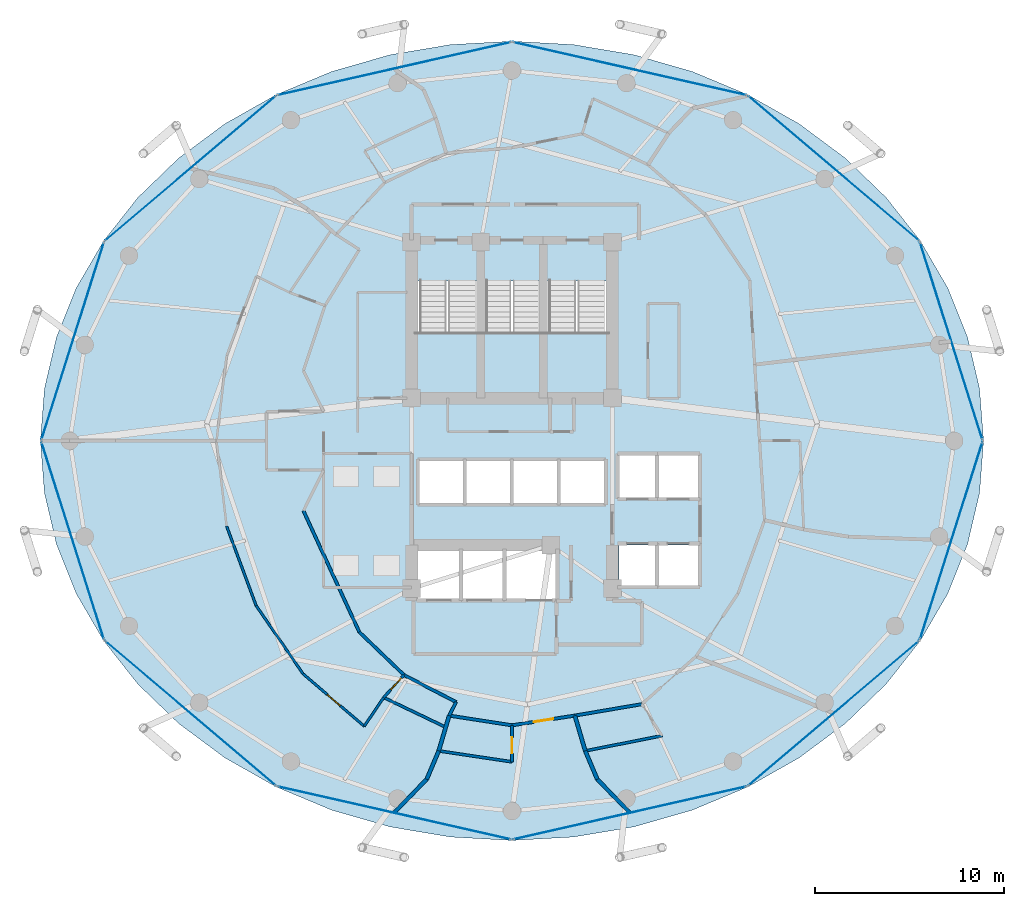
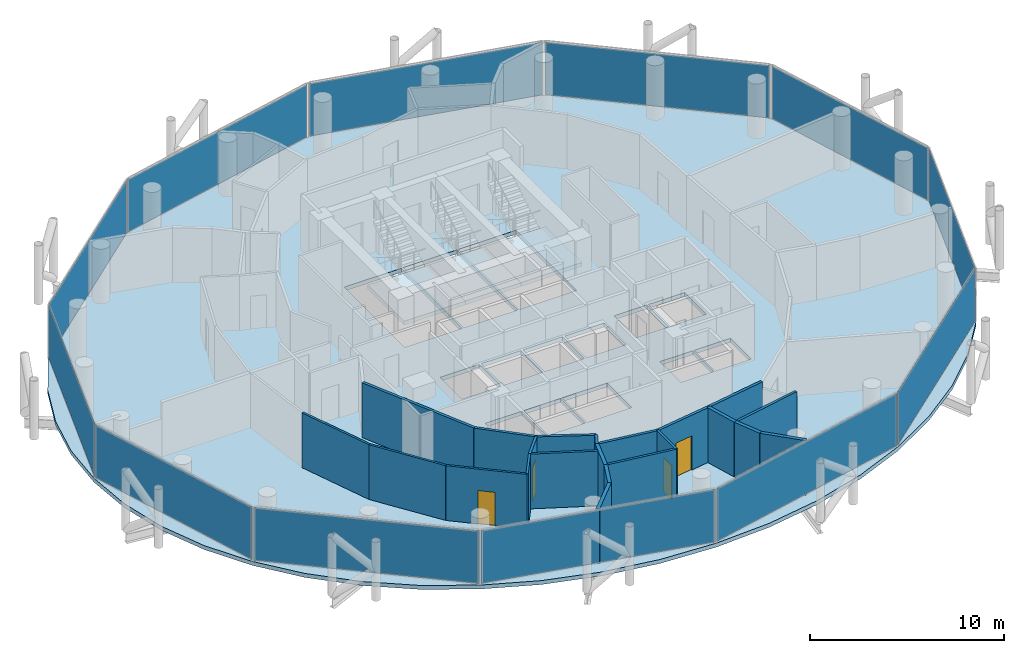
# One storey, part 21 of 26: 22 walls, 12 plates, 4 doors, 4 slabs, 4 openings, 15 elements without a shape of their own.
"""IFC4 building model written with IfcOpenShell, lengths in metres."""

from ifc_helpers import new_model, si_unit, direction, frame, frame_2d, origin, origin_2d, place, context, subcontext, project, spatial, polyline, rectangle, outline, extrude, material, layer, layer_set, type_object, element, fill, aggregate, save


model = new_model("IFC4")

# Units and contexts
model_context = context("Model", 3, precision=1e-05, world=origin(), true_north=direction((0.0, 1.0)))
body_context = subcontext(model_context, "Body", "Model", "MODEL_VIEW")
ifc_project = project(units=[si_unit("LENGTHUNIT", "METRE"), si_unit("AREAUNIT", "SQUARE_METRE"), si_unit("VOLUMEUNIT", "CUBIC_METRE"), si_unit("PLANEANGLEUNIT", "RADIAN"), si_unit("MASSUNIT", "GRAM", prefix="KILO")], contexts=[model_context])

# Site, building, storey
site_placement = place(None, origin())
site = spatial("IfcSite", under=ifc_project, at=site_placement, CompositionType="ELEMENT")
building_placement = place(site_placement, origin())
building = spatial("IfcBuilding", under=site, at=building_placement, Name="Nuhasar Tower", CompositionType="ELEMENT")
storey_placement = place(building_placement, frame((0.0, 0.0, 118.25)))
storey = spatial("IfcBuildingStorey", under=building, at=storey_placement, Name="L27", CompositionType="ELEMENT", Elevation=118.25)

# Curtain wall, plate
ifc_material_1 = material(Name="Aluminium 6063-T6", Category="aluminium")
ifc_layer_1 = layer(ifc_material_1, 0.199951171875)
ifc_layer_set_1 = layer_set([ifc_layer_1], Name="Aluminium 6063-T6")
curtain_wall_type = type_object("IfcCurtainWallType", Name="CW-Z2-HTL", PredefinedType="NOTDEFINED", material=ifc_layer_set_1)
curtain_wall_1_placement = place(storey_placement, origin())
curtain_wall_1 = element("IfcCurtainWall", 1, at=curtain_wall_1_placement, inside=storey, type_object=curtain_wall_type, Name="L27 Unitised Curtain Wall 01", PredefinedType="NOTDEFINED")
ifc_material_2 = material(Name="Glass Double Low-E", Category="glass")
ifc_layer_2 = layer(ifc_material_2, 0.028076171875)
ifc_layer_set_2 = layer_set([ifc_layer_2], Name="Glass Double Low-E")
plate_type = type_object("IfcPlateType", Name="CW-PANEL-GLZ", PredefinedType="CURTAIN_PANEL", material=ifc_layer_set_2)
plate_1_placement = place(storey_placement, frame((62.194580078125, 32.06494140625, 0.070068359375), z_axis=(0.0, 0.0, 1.0), x_axis=(-0.301603667577, 0.953433389233, 0.0)))
plate_1 = element("IfcPlate", 2, at=plate_1_placement, type_object=plate_type, Name="CW-Z2 panel 1.1", PredefinedType="CURTAIN_PANEL", context=body_context, shape_type="SweptSolid", body=[
    extrude(rectangle(XDim=10.904296875, YDim=0.028076171875, at=origin_2d()), origin(), (0.0, 0.0, 1.0), 3.31005859375),
])
aggregate(curtain_wall_1, [plate_1])

curtain_wall_2_placement = place(storey_placement, origin())
curtain_wall_2 = element("IfcCurtainWall", 3, at=curtain_wall_2_placement, inside=storey, type_object=curtain_wall_type, Name="L27 Unitised Curtain Wall 02", PredefinedType="NOTDEFINED")
plate_2_placement = place(storey_placement, frame((55.9794921875, 41.18408203125, 0.070068359375), z_axis=(0.0, 0.0, 1.0), x_axis=(-0.763020370292, 0.646374438324, 0.0)))
plate_2 = element("IfcPlate", 4, at=plate_2_placement, type_object=plate_type, Name="CW-Z2 panel 1.1", PredefinedType="CURTAIN_PANEL", context=body_context, shape_type="SweptSolid", body=[
    extrude(rectangle(XDim=11.784912109375, YDim=0.028076171875, at=origin_2d()), origin(), (0.0, 0.0, 1.0), 3.31005859375),
])
aggregate(curtain_wall_2, [plate_2])

curtain_wall_3_placement = place(storey_placement, origin())
curtain_wall_3 = element("IfcCurtainWall", 5, at=curtain_wall_3_placement, inside=storey, type_object=curtain_wall_type, Name="L27 Unitised Curtain Wall 03", PredefinedType="NOTDEFINED")
plate_3_placement = place(storey_placement, frame((45.215087890625, 46.448974609375, 0.070068359375), z_axis=(0.0, 0.0, 1.0), x_axis=(-0.975183694221, 0.22139729566, 0.0)))
plate_3 = element("IfcPlate", 6, at=plate_3_placement, type_object=plate_type, Name="CW-Z2 panel 1.1", PredefinedType="CURTAIN_PANEL", context=body_context, shape_type="SweptSolid", body=[
    extrude(rectangle(XDim=12.606201171875, YDim=0.028076171875, at=origin_2d()), origin(), (0.0, 0.0, 1.0), 3.31005859375),
])
aggregate(curtain_wall_3, [plate_3])

curtain_wall_4_placement = place(storey_placement, origin())
curtain_wall_4 = element("IfcCurtainWall", 7, at=curtain_wall_4_placement, inside=storey, type_object=curtain_wall_type, Name="L27 Unitised Curtain Wall 04", PredefinedType="NOTDEFINED")
plate_4_placement = place(storey_placement, frame((32.784912109375, 46.448974609375, 0.070068359375), z_axis=(0.0, 0.0, 1.0), x_axis=(-0.975183694221, -0.22139729566, 0.0)))
plate_4 = element("IfcPlate", 8, at=plate_4_placement, type_object=plate_type, Name="CW-Z2 panel 1.1", PredefinedType="CURTAIN_PANEL", context=body_context, shape_type="SweptSolid", body=[
    extrude(rectangle(XDim=12.606201171875, YDim=0.028076171875, at=origin_2d()), origin(), (0.0, 0.0, 1.0), 3.31005859375),
])
aggregate(curtain_wall_4, [plate_4])

curtain_wall_5_placement = place(storey_placement, origin())
curtain_wall_5 = element("IfcCurtainWall", 9, at=curtain_wall_5_placement, inside=storey, type_object=curtain_wall_type, Name="L27 Unitised Curtain Wall 05", PredefinedType="NOTDEFINED")
plate_5_placement = place(storey_placement, frame((22.0205078125, 41.18408203125, 0.070068359375), z_axis=(0.0, 0.0, 1.0), x_axis=(-0.763020370292, -0.646374438324, 0.0)))
plate_5 = element("IfcPlate", 10, at=plate_5_placement, type_object=plate_type, Name="CW-Z2 panel 1.1", PredefinedType="CURTAIN_PANEL", context=body_context, shape_type="SweptSolid", body=[
    extrude(rectangle(XDim=11.784912109375, YDim=0.028076171875, at=origin_2d()), origin(), (0.0, 0.0, 1.0), 3.31005859375),
])
aggregate(curtain_wall_5, [plate_5])

curtain_wall_6_placement = place(storey_placement, origin())
curtain_wall_6 = element("IfcCurtainWall", 11, at=curtain_wall_6_placement, inside=storey, type_object=curtain_wall_type, Name="L27 Unitised Curtain Wall 06", PredefinedType="NOTDEFINED")
plate_6_placement = place(storey_placement, frame((15.805419921875, 32.06494140625, 0.070068359375), z_axis=(0.0, 0.0, 1.0), x_axis=(-0.301603667577, -0.953433389233, 0.0)))
plate_6 = element("IfcPlate", 12, at=plate_6_placement, type_object=plate_type, Name="CW-Z2 panel 1.1", PredefinedType="CURTAIN_PANEL", context=body_context, shape_type="SweptSolid", body=[
    extrude(rectangle(XDim=10.904296875, YDim=0.028076171875, at=origin_2d()), origin(), (0.0, 0.0, 1.0), 3.31005859375),
])
aggregate(curtain_wall_6, [plate_6])

curtain_wall_7_placement = place(storey_placement, origin())
curtain_wall_7 = element("IfcCurtainWall", 13, at=curtain_wall_7_placement, inside=storey, type_object=curtain_wall_type, Name="L27 Unitised Curtain Wall 07", PredefinedType="NOTDEFINED")
plate_7_placement = place(storey_placement, frame((15.805419921875, 21.534912109375, 0.070068359375), z_axis=(0.0, 0.0, 1.0), x_axis=(0.301603667577, -0.953433389233, 0.0)))
plate_7 = element("IfcPlate", 14, at=plate_7_placement, type_object=plate_type, Name="CW-Z2 panel 1.1", PredefinedType="CURTAIN_PANEL", context=body_context, shape_type="SweptSolid", body=[
    extrude(rectangle(XDim=10.904296875, YDim=0.028076171875, at=origin_2d()), origin(), (0.0, 0.0, 1.0), 3.31005859375),
])
aggregate(curtain_wall_7, [plate_7])

curtain_wall_8_placement = place(storey_placement, origin())
curtain_wall_8 = element("IfcCurtainWall", 15, at=curtain_wall_8_placement, inside=storey, type_object=curtain_wall_type, Name="L27 Unitised Curtain Wall 08", PredefinedType="NOTDEFINED")
plate_8_placement = place(storey_placement, frame((22.0205078125, 12.416015625, 0.070068359375), z_axis=(0.0, 0.0, 1.0), x_axis=(0.763020370292, -0.646374438324, 0.0)))
plate_8 = element("IfcPlate", 16, at=plate_8_placement, type_object=plate_type, Name="CW-Z2 panel 1.1", PredefinedType="CURTAIN_PANEL", context=body_context, shape_type="SweptSolid", body=[
    extrude(rectangle(XDim=11.784912109375, YDim=0.028076171875, at=origin_2d()), origin(), (0.0, 0.0, 1.0), 3.31005859375),
])
aggregate(curtain_wall_8, [plate_8])

curtain_wall_9_placement = place(storey_placement, origin())
curtain_wall_9 = element("IfcCurtainWall", 17, at=curtain_wall_9_placement, inside=storey, type_object=curtain_wall_type, Name="L27 Unitised Curtain Wall 09", PredefinedType="NOTDEFINED")
plate_9_placement = place(storey_placement, frame((32.784912109375, 7.15087890625, 0.070068359375), z_axis=(0.0, 0.0, 1.0), x_axis=(0.975183694221, -0.22139729566, 0.0)))
plate_9 = element("IfcPlate", 18, at=plate_9_placement, type_object=plate_type, Name="CW-Z2 panel 1.1", PredefinedType="CURTAIN_PANEL", context=body_context, shape_type="SweptSolid", body=[
    extrude(rectangle(XDim=12.606201171875, YDim=0.028076171875, at=origin_2d()), origin(), (0.0, 0.0, 1.0), 3.31005859375),
])
aggregate(curtain_wall_9, [plate_9])

curtain_wall_10_placement = place(storey_placement, origin())
curtain_wall_10 = element("IfcCurtainWall", 19, at=curtain_wall_10_placement, inside=storey, type_object=curtain_wall_type, Name="L27 Unitised Curtain Wall 10", PredefinedType="NOTDEFINED")
plate_10_placement = place(storey_placement, frame((45.215087890625, 7.15087890625, 0.070068359375), z_axis=(0.0, 0.0, 1.0), x_axis=(0.975183694221, 0.22139729566, 0.0)))
plate_10 = element("IfcPlate", 20, at=plate_10_placement, type_object=plate_type, Name="CW-Z2 panel 1.1", PredefinedType="CURTAIN_PANEL", context=body_context, shape_type="SweptSolid", body=[
    extrude(rectangle(XDim=12.606201171875, YDim=0.028076171875, at=origin_2d()), origin(), (0.0, 0.0, 1.0), 3.31005859375),
])
aggregate(curtain_wall_10, [plate_10])

curtain_wall_11_placement = place(storey_placement, origin())
curtain_wall_11 = element("IfcCurtainWall", 21, at=curtain_wall_11_placement, inside=storey, type_object=curtain_wall_type, Name="L27 Unitised Curtain Wall 11", PredefinedType="NOTDEFINED")
plate_11_placement = place(storey_placement, frame((55.9794921875, 12.416015625, 0.070068359375), z_axis=(0.0, 0.0, 1.0), x_axis=(0.763020370292, 0.646374438324, 0.0)))
plate_11 = element("IfcPlate", 22, at=plate_11_placement, type_object=plate_type, Name="CW-Z2 panel 1.1", PredefinedType="CURTAIN_PANEL", context=body_context, shape_type="SweptSolid", body=[
    extrude(rectangle(XDim=11.784912109375, YDim=0.028076171875, at=origin_2d()), origin(), (0.0, 0.0, 1.0), 3.31005859375),
])
aggregate(curtain_wall_11, [plate_11])

curtain_wall_12_placement = place(storey_placement, origin())
curtain_wall_12 = element("IfcCurtainWall", 23, at=curtain_wall_12_placement, inside=storey, type_object=curtain_wall_type, Name="L27 Unitised Curtain Wall 12", PredefinedType="NOTDEFINED")
plate_12_placement = place(storey_placement, frame((62.194580078125, 21.534912109375, 0.070068359375), z_axis=(0.0, 0.0, 1.0), x_axis=(0.301603667577, 0.953433389233, 0.0)))
plate_12 = element("IfcPlate", 24, at=plate_12_placement, type_object=plate_type, Name="CW-Z2 panel 1.1", PredefinedType="CURTAIN_PANEL", context=body_context, shape_type="SweptSolid", body=[
    extrude(rectangle(XDim=10.904296875, YDim=0.028076171875, at=origin_2d()), origin(), (0.0, 0.0, 1.0), 3.31005859375),
])
aggregate(curtain_wall_12, [plate_12])

# Stair, slab
ifc_material_3 = material(Name="Concrete C45/55", Category="concrete")
stair_type_1 = type_object("IfcStairType", Name="STR-ST-01-2F-22R-1682", PredefinedType="HALF_TURN_STAIR", material=ifc_material_3)
stair_1_placement = place(storey_placement, origin())
stair_1 = element("IfcStair", 25, at=stair_1_placement, inside=storey, type_object=stair_type_1, Name="L27 Exit Stair ST-01", PredefinedType="HALF_TURN_STAIR")
ifc_layer_3 = layer(ifc_material_3, 0.239990234375)
ifc_layer_set_3 = layer_set([ifc_layer_3], Name="Concrete C45/55")
slab_type_1 = type_object("IfcSlabType", Name="SLB-STAIR-LND-240", PredefinedType="LANDING", material=ifc_layer_set_3)
slab_1_placement = place(storey_placement, frame((0.0, 0.0, 1.610107421875)))
slab_1 = element("IfcSlab", 26, at=slab_1_placement, type_object=slab_type_1, Name="ST-01 landing 1", PredefinedType="LANDING", context=body_context, shape_type="SweptSolid", body=[
    extrude(outline(polyline([(33.699951171875, 28.75), (37.35009765625, 28.75), (37.35009765625, 32.52001953125), (33.699951171875, 32.52001953125), (33.699951171875, 28.75)])), origin(), (0.0, 0.0, 1.0), 0.239990234375),
])
aggregate(stair_1, [slab_1])

stair_type_2 = type_object("IfcStairType", Name="STR-ST-03-2F-22R-1682", PredefinedType="HALF_TURN_STAIR", material=ifc_material_3)
stair_2_placement = place(storey_placement, origin())
stair_2 = element("IfcStair", 27, at=stair_2_placement, inside=storey, type_object=stair_type_2, Name="L27 Exit Stair ST-03", PredefinedType="HALF_TURN_STAIR")
slab_2_placement = place(storey_placement, frame((0.0, 0.0, 1.610107421875)))
slab_2 = element("IfcSlab", 28, at=slab_2_placement, type_object=slab_type_1, Name="ST-03 landing 1", PredefinedType="LANDING", context=body_context, shape_type="SweptSolid", body=[
    extrude(outline(polyline([(37.35009765625, 28.75), (40.64990234375, 28.75), (40.64990234375, 32.52001953125), (37.35009765625, 32.52001953125), (37.35009765625, 28.75)])), origin(), (0.0, 0.0, 1.0), 0.239990234375),
])
aggregate(stair_2, [slab_2])

stair_type_3 = type_object("IfcStairType", Name="STR-ST-02-2F-22R-1682", PredefinedType="HALF_TURN_STAIR", material=ifc_material_3)
stair_3_placement = place(storey_placement, origin())
stair_3 = element("IfcStair", 29, at=stair_3_placement, inside=storey, type_object=stair_type_3, Name="L27 Exit Stair ST-02", PredefinedType="HALF_TURN_STAIR")
slab_3_placement = place(storey_placement, frame((0.0, 0.0, 1.610107421875)))
slab_3 = element("IfcSlab", 30, at=slab_3_placement, type_object=slab_type_1, Name="ST-02 landing 1", PredefinedType="LANDING", context=body_context, shape_type="SweptSolid", body=[
    extrude(outline(polyline([(40.64990234375, 28.75), (44.300048828125, 28.75), (44.300048828125, 32.52001953125), (40.64990234375, 32.52001953125), (40.64990234375, 28.75)])), origin(), (0.0, 0.0, 1.0), 0.239990234375),
])
aggregate(stair_3, [slab_3])

# Slab
ifc_layer_4 = layer(ifc_material_3, 0.25)
ifc_layer_set_4 = layer_set([ifc_layer_4], Name="Concrete C45/55")
slab_type_2 = type_object("IfcSlabType", Name="SLB-Z1B-250", PredefinedType="FLOOR", material=ifc_layer_set_4)
slab_4_placement = place(storey_placement, frame((0.0, 0.0, -0.25)))
element("IfcSlab", 31, at=slab_4_placement, inside=storey, type_object=slab_type_2, Name="L27 Structural Slab", PredefinedType="FLOOR", context=body_context, shape_type="SweptSolid", body=[
    extrude(outline(polyline([(63.89990234375, 26.800048828125), (63.68701171875, 29.553955078125), (63.052001953125, 32.260986328125), (62.0048828125, 34.875), (60.56396484375, 37.35009765625), (58.75390625, 39.64501953125), (56.60693359375, 41.719970703125), (54.157958984375, 43.5400390625), (51.449951171875, 45.072998046875), (48.529052734375, 46.2939453125), (45.445068359375, 47.180908203125), (42.25, 47.718994140625), (39.0, 47.89990234375), (35.75, 47.718994140625), (32.554931640625, 47.180908203125), (29.470947265625, 46.2939453125), (26.550048828125, 45.072998046875), (23.842041015625, 43.5400390625), (21.39306640625, 41.719970703125), (19.24609375, 39.64501953125), (17.43603515625, 37.35009765625), (15.9951171875, 34.875), (14.947998046875, 32.260986328125), (14.31298828125, 29.553955078125), (14.10009765625, 26.800048828125), (14.31298828125, 24.0458984375), (14.947998046875, 21.339111328125), (15.9951171875, 18.72509765625), (17.43603515625, 16.25), (19.24609375, 13.955078125), (21.39306640625, 11.8798828125), (23.842041015625, 10.06005859375), (26.550048828125, 8.527099609375), (29.470947265625, 7.305908203125), (32.554931640625, 6.4189453125), (35.75, 5.881103515625), (39.0, 5.699951171875), (42.25, 5.881103515625), (45.445068359375, 6.4189453125), (48.529052734375, 7.305908203125), (51.449951171875, 8.527099609375), (54.157958984375, 10.06005859375), (56.60693359375, 11.8798828125), (58.75390625, 13.955078125), (60.56396484375, 16.25), (62.0048828125, 18.72509765625), (63.052001953125, 21.339111328125), (63.68701171875, 24.0458984375), (63.89990234375, 26.800048828125)]), holes=[polyline([(33.8798828125, 35.25), (37.300048828125, 35.25), (37.300048828125, 29.0), (33.8798828125, 29.0), (33.8798828125, 35.25)]), polyline([(37.39990234375, 35.25), (40.60009765625, 35.25), (40.60009765625, 29.0), (37.39990234375, 29.0), (37.39990234375, 35.25)]), polyline([(40.699951171875, 35.25), (44.1201171875, 35.25), (44.1201171875, 29.0), (40.699951171875, 29.0), (40.699951171875, 35.25)]), polyline([(44.64990234375, 26.050048828125), (46.60009765625, 26.050048828125), (46.60009765625, 23.800048828125), (44.64990234375, 23.800048828125), (44.64990234375, 26.050048828125)]), polyline([(46.699951171875, 26.050048828125), (48.85009765625, 26.050048828125), (48.85009765625, 23.800048828125), (46.699951171875, 23.800048828125), (46.699951171875, 26.050048828125)]), polyline([(44.64990234375, 21.300048828125), (46.60009765625, 21.300048828125), (46.60009765625, 19.14990234375), (44.64990234375, 19.14990234375), (44.64990234375, 21.300048828125)]), polyline([(46.699951171875, 21.300048828125), (48.85009765625, 21.300048828125), (48.85009765625, 19.14990234375), (46.699951171875, 19.14990234375), (46.699951171875, 21.300048828125)]), polyline([(34.10009765625, 25.75), (36.43994140625, 25.75), (36.43994140625, 23.5), (34.10009765625, 23.5), (34.10009765625, 25.75)]), polyline([(36.580078125, 25.75), (38.919921875, 25.75), (38.919921875, 23.5), (36.580078125, 23.5), (36.580078125, 25.75)]), polyline([(39.06005859375, 25.75), (41.39990234375, 25.75), (41.39990234375, 23.5), (39.06005859375, 23.5), (39.06005859375, 25.75)]), polyline([(41.5400390625, 25.75), (43.8798828125, 25.75), (43.8798828125, 23.5), (41.5400390625, 23.5), (41.5400390625, 25.75)]), polyline([(34.050048828125, 21.0), (36.25, 21.0), (36.25, 18.449951171875), (34.050048828125, 18.449951171875), (34.050048828125, 21.0)]), polyline([(36.35009765625, 21.0), (38.550048828125, 21.0), (38.550048828125, 18.449951171875), (36.35009765625, 18.449951171875), (36.35009765625, 21.0)]), polyline([(38.64990234375, 21.0), (41.320068359375, 21.0), (41.320068359375, 18.449951171875), (38.64990234375, 18.449951171875), (38.64990234375, 21.0)])]), origin(), (0.0, 0.0, 1.0), 0.25),
])

# Wall
ifc_material_4 = material(Name="Gypsum Board", Category="gypsum")
ifc_layer_5 = layer(ifc_material_4, 0.159912109375)
ifc_layer_set_5 = layer_set([ifc_layer_5], Name="Gypsum Board")
wall_type_1 = type_object("IfcWallType", Name="WL-CORR-160", PredefinedType="PARTITIONING", material=ifc_layer_set_5)
wall_1_placement = place(storey_placement, frame((35.681884765625, 12.2919921875, 0.0), z_axis=(0.0, 0.0, 1.0), x_axis=(0.988305190754, -0.152488851815, 0.0)))
element("IfcWall", 32, at=wall_1_placement, inside=storey, type_object=wall_type_1, Name="L27 Interior Partition CORR-34", PredefinedType="PARTITIONING", context=body_context, shape_type="SweptSolid", body=[
    extrude(rectangle(XDim=3.357421875, YDim=0.159912109375, at=frame_2d((1.6787109375, 0.0))), origin(), (0.0, 0.0, 1.0), 3.449951171875),
])

# Wall, opening, door
wall_2_placement = place(storey_placement, frame((42.318115234375, 12.2919921875, 0.0), z_axis=(0.0, 0.0, 1.0), x_axis=(-0.988305190754, -0.152488851815, 0.0)))
wall_2 = element("IfcWall", 33, at=wall_2_placement, inside=storey, type_object=wall_type_1, Name="L27 Interior Partition CORR-36", PredefinedType="PARTITIONING", context=body_context, shape_type="SweptSolid", body=[
    extrude(rectangle(XDim=3.357421875, YDim=0.159912109375, at=frame_2d((1.6787109375, 0.0))), origin(), (0.0, 0.0, 1.0), 3.449951171875),
])
opening_1_placement = place(wall_2_placement, frame((1.154052734375, 0.0, 0.0)))
opening_1 = element("IfcOpeningElement", 34, at=opening_1_placement, cuts=wall_2, Name="Opening DU-01", PredefinedType="OPENING", context=body_context, shape_type="SweptSolid", body=[
    extrude(rectangle(XDim=1.050048828125, YDim=2.14990234375, at=frame_2d((0.52490234375, 1.074951171875))), frame((0.0, 0.08984375, 0.0), z_axis=(0.0, -1.0, 0.0), x_axis=(1.0, 0.0, 0.0)), (0.0, 0.0, 1.0), 0.179931640625),
])
ifc_material_5 = material(Name="Timber Oak", Category="wood")
door_type_1 = type_object("IfcDoorType", Name="DR-SUITE-FD60-1050", OperationType="NOTDEFINED", PredefinedType="DOOR", material=ifc_material_5)
door_1_placement = place(opening_1_placement, origin())
door_1 = element("IfcDoor", 35, at=door_1_placement, inside=storey, type_object=door_type_1, Name="L27 Deluxe Junior Suite 01 Entrance Door", OperationType="SINGLE_SWING_LEFT", OverallHeight=2.14990234375, OverallWidth=1.050048828125, PredefinedType="DOOR", context=body_context, shape_type="SweptSolid", body=[
    extrude(rectangle(XDim=1.050048828125, YDim=2.14990234375, at=frame_2d((0.52490234375, 1.074951171875))), frame((0.0, 0.02490234375, 0.0), z_axis=(0.0, -1.0, 0.0), x_axis=(1.0, 0.0, 0.0)), (0.0, 0.0, 1.0), 0.050048828125),
])
fill(opening_1, door_1)

# Walls
wall_3_placement = place(storey_placement, frame((42.318115234375, 12.2919921875, 0.0), z_axis=(0.0, 0.0, 1.0), x_axis=(0.985751576779, 0.168207695658, 0.0)))
element("IfcWall", 36, at=wall_3_placement, inside=storey, type_object=wall_type_1, Name="L27 Interior Partition CORR-38", PredefinedType="PARTITIONING", context=body_context, shape_type="SweptSolid", body=[
    extrude(rectangle(XDim=3.5849609375, YDim=0.159912109375, at=frame_2d((1.79248046875, 0.0))), origin(), (0.0, 0.0, 1.0), 3.449951171875),
])
wall_4_placement = place(storey_placement, frame((36.049072265625, 13.007080078125, 0.0), z_axis=(0.0, 0.0, 1.0), x_axis=(-0.456785198059, -0.889577024678, 0.0)))
element("IfcWall", 37, at=wall_4_placement, inside=storey, type_object=wall_type_1, Name="L27 Interior Partition HRAD-34-IN", PredefinedType="PARTITIONING", context=body_context, shape_type="SweptSolid", body=[
    extrude(rectangle(XDim=0.803955078125, YDim=0.159912109375, at=frame_2d((0.40185546875, 0.0))), origin(), (0.0, 0.0, 1.0), 3.449951171875),
])
wall_5_placement = place(storey_placement, frame((27.988037109375, 23.10400390625, 0.0), z_axis=(0.0, 0.0, 1.0), x_axis=(0.418656179426, -0.908144814128, 0.0)))
element("IfcWall", 38, at=wall_5_placement, inside=storey, type_object=wall_type_1, Name="L27 Interior Partition HWEST-CORE-S1-26", PredefinedType="PARTITIONING", context=body_context, shape_type="SweptSolid", body=[
    extrude(rectangle(XDim=7.048583984375, YDim=0.159912109375, at=frame_2d((3.5244140625, 0.0))), origin(), (0.0, 0.0, 1.0), 3.449951171875),
])
wall_6_placement = place(storey_placement, frame((30.93896484375, 16.702880859375, 0.0), z_axis=(0.0, 0.0, 1.0), x_axis=(0.72090897908, -0.693029756851, 0.0)))
element("IfcWall", 39, at=wall_6_placement, inside=storey, type_object=wall_type_1, Name="L27 Interior Partition HWEST-CORE-S2-30", PredefinedType="PARTITIONING", context=body_context, shape_type="SweptSolid", body=[
    extrude(rectangle(XDim=3.275146484375, YDim=0.159912109375, at=frame_2d((1.6376953125, 0.0))), origin(), (0.0, 0.0, 1.0), 3.449951171875),
])
wall_7_placement = place(storey_placement, frame((33.300048828125, 14.43310546875, 0.0), z_axis=(0.0, 0.0, 1.0), x_axis=(0.887674575788, -0.460471331898, 0.0)))
element("IfcWall", 40, at=wall_7_placement, inside=storey, type_object=wall_type_1, Name="L27 Interior Partition HWEST-CORE-S2-32", PredefinedType="PARTITIONING", context=body_context, shape_type="SweptSolid", body=[
    extrude(rectangle(XDim=3.096923828125, YDim=0.159912109375, at=frame_2d((1.54833984375, 0.0))), origin(), (0.0, 0.0, 1.0), 3.449951171875),
])
ifc_layer_6 = layer(ifc_material_4, 0.125)
ifc_layer_set_6 = layer_set([ifc_layer_6], Name="Gypsum Board")
wall_type_2 = type_object("IfcWallType", Name="WL-PART-125", PredefinedType="PARTITIONING", material=ifc_layer_set_6)
wall_8_placement = place(storey_placement, frame((32.22509765625, 13.2470703125, 0.0), z_axis=(0.0, 0.0, 1.0), x_axis=(-0.560137086464, -0.828399930207, 0.0)))
element("IfcWall", 41, at=wall_8_placement, inside=storey, type_object=wall_type_2, Name="L27 Interior Partition HWS2-N", PredefinedType="PARTITIONING", context=body_context, shape_type="SweptSolid", body=[
    extrude(rectangle(XDim=1.830078125, YDim=0.125, at=frame_2d((0.9150390625, 0.0))), origin(), (0.0, 0.0, 1.0), 3.449951171875),
])
wall_9_placement = place(storey_placement, frame((23.931884765625, 22.297119140625, 0.0), z_axis=(0.0, 0.0, 1.0), x_axis=(0.348031805078, -0.93748272659, 0.0)))
element("IfcWall", 42, at=wall_9_placement, inside=storey, type_object=wall_type_2, Name="L27 Interior Partition HWS2-ARC-26", PredefinedType="PARTITIONING", context=body_context, shape_type="SweptSolid", body=[
    extrude(rectangle(XDim=4.476806640625, YDim=0.125, at=frame_2d((2.23828125, 0.0))), origin(), (0.0, 0.0, 1.0), 3.449951171875),
])
wall_10_placement = place(storey_placement, frame((25.489990234375, 18.10009765625, 0.0), z_axis=(0.0, 0.0, 1.0), x_axis=(0.566723041571, -0.823908365143, 0.0)))
element("IfcWall", 43, at=wall_10_placement, inside=storey, type_object=wall_type_2, Name="L27 Interior Partition HWS2-ARC-28", PredefinedType="PARTITIONING", context=body_context, shape_type="SweptSolid", body=[
    extrude(rectangle(XDim=4.374267578125, YDim=0.125, at=frame_2d((2.18701171875, 0.0))), origin(), (0.0, 0.0, 1.0), 3.449951171875),
])

# Wall, opening, door
wall_11_placement = place(storey_placement, frame((27.968994140625, 14.49609375, 0.0), z_axis=(0.0, 0.0, 1.0), x_axis=(0.759750776123, -0.650214394013, 0.0)))
wall_11 = element("IfcWall", 44, at=wall_11_placement, inside=storey, type_object=wall_type_2, Name="L27 Interior Partition HWS2-ARC-30", PredefinedType="PARTITIONING", context=body_context, shape_type="SweptSolid", body=[
    extrude(rectangle(XDim=4.252685546875, YDim=0.125, at=frame_2d((2.12646484375, 0.0))), origin(), (0.0, 0.0, 1.0), 3.449951171875),
])
opening_2_placement = place(wall_11_placement, frame((1.676025390625, 0.0, 0.0)))
opening_2 = element("IfcOpeningElement", 45, at=opening_2_placement, cuts=wall_11, Name="Opening DR-01", PredefinedType="OPENING", context=body_context, shape_type="SweptSolid", body=[
    extrude(rectangle(XDim=0.89990234375, YDim=2.10009765625, at=frame_2d((0.449951171875, 1.050048828125))), frame((0.0, 0.072509765625, 0.0), z_axis=(0.0, -1.0, 0.0), x_axis=(1.0, 0.0, 0.0)), (0.0, 0.0, 1.0), 0.14501953125),
])
door_type_2 = type_object("IfcDoorType", Name="DR-ROOM-900", OperationType="NOTDEFINED", PredefinedType="DOOR", material=ifc_material_5)
door_2_placement = place(opening_2_placement, origin())
door_2 = element("IfcDoor", 46, at=door_2_placement, inside=storey, type_object=door_type_2, Name="L27 South-West Presidential Suite Bedroom Door", OperationType="SINGLE_SWING_LEFT", OverallHeight=2.10009765625, OverallWidth=0.89990234375, PredefinedType="DOOR", context=body_context, shape_type="SweptSolid", body=[
    extrude(rectangle(XDim=0.89990234375, YDim=2.10009765625, at=frame_2d((0.449951171875, 1.050048828125))), frame((0.0, 0.02490234375, 0.0), z_axis=(0.0, -1.0, 0.0), x_axis=(1.0, 0.0, 0.0)), (0.0, 0.0, 1.0), 0.050048828125),
])
fill(opening_2, door_2)

# Walls
ifc_material_6 = material(Name="Concrete C40/50 precast", Category="concrete")
ifc_layer_7 = layer(ifc_material_6, 0.199951171875)
ifc_layer_set_7 = layer_set([ifc_layer_7], Name="Concrete C40/50 precast")
wall_type_3 = type_object("IfcWallType", Name="WL-UNIT-200", PredefinedType="PARTITIONING", material=ifc_layer_set_7)
wall_12_placement = place(storey_placement, frame((35.681884765625, 12.2919921875, 0.0), z_axis=(0.0, 0.0, 1.0), x_axis=(-0.283369770593, -0.959010726277, 0.0)))
element("IfcWall", 47, at=wall_12_placement, inside=storey, type_object=wall_type_3, Name="L27 Interior Partition HRAD-34-OUT-S1", PredefinedType="PARTITIONING", context=body_context, shape_type="SweptSolid", body=[
    extrude(rectangle(XDim=1.943603515625, YDim=0.199951171875, at=frame_2d((0.9716796875, 0.0))), origin(), (0.0, 0.0, 1.0), 3.449951171875),
])
wall_13_placement = place(storey_placement, frame((35.131103515625, 10.427978515625, 0.0), z_axis=(0.0, 0.0, 1.0), x_axis=(-0.389767285182, -0.920913385396, 0.0)))
element("IfcWall", 48, at=wall_13_placement, inside=storey, type_object=wall_type_3, Name="L27 Interior Partition HRAD-34-OUT-S2", PredefinedType="PARTITIONING", context=body_context, shape_type="SweptSolid", body=[
    extrude(rectangle(XDim=1.626708984375, YDim=0.199951171875, at=frame_2d((0.8134765625, 0.0))), origin(), (0.0, 0.0, 1.0), 3.449951171875),
])
wall_14_placement = place(storey_placement, frame((34.4970703125, 8.929931640625, 0.0), z_axis=(0.0, 0.0, 1.0), x_axis=(-0.698293830776, -0.715811236221, 0.0)))
element("IfcWall", 49, at=wall_14_placement, inside=storey, type_object=wall_type_3, Name="L27 Interior Partition HRAD-34-OUT-S3", PredefinedType="PARTITIONING", context=body_context, shape_type="SweptSolid", body=[
    extrude(rectangle(XDim=2.43896484375, YDim=0.199951171875, at=frame_2d((1.219482421875, 0.0))), origin(), (0.0, 0.0, 1.0), 3.449951171875),
])
wall_15_placement = place(storey_placement, frame((42.318115234375, 12.2919921875, 0.0), z_axis=(0.0, 0.0, 1.0), x_axis=(0.283369770593, -0.959010726277, 0.0)))
element("IfcWall", 50, at=wall_15_placement, inside=storey, type_object=wall_type_3, Name="L27 Interior Partition HRAD-38-S1", PredefinedType="PARTITIONING", context=body_context, shape_type="SweptSolid", body=[
    extrude(rectangle(XDim=1.943603515625, YDim=0.199951171875, at=frame_2d((0.9716796875, 0.0))), origin(), (0.0, 0.0, 1.0), 3.449951171875),
])
wall_16_placement = place(storey_placement, frame((42.868896484375, 10.427978515625, 0.0), z_axis=(0.0, 0.0, 1.0), x_axis=(0.389767285182, -0.920913385396, 0.0)))
element("IfcWall", 51, at=wall_16_placement, inside=storey, type_object=wall_type_3, Name="L27 Interior Partition HRAD-38-S2", PredefinedType="PARTITIONING", context=body_context, shape_type="SweptSolid", body=[
    extrude(rectangle(XDim=1.626708984375, YDim=0.199951171875, at=frame_2d((0.8134765625, 0.0))), origin(), (0.0, 0.0, 1.0), 3.449951171875),
])
wall_17_placement = place(storey_placement, frame((43.5029296875, 8.929931640625, 0.0), z_axis=(0.0, 0.0, 1.0), x_axis=(0.698293830776, -0.715811236221, 0.0)))
element("IfcWall", 52, at=wall_17_placement, inside=storey, type_object=wall_type_3, Name="L27 Interior Partition HRAD-38-S3", PredefinedType="PARTITIONING", context=body_context, shape_type="SweptSolid", body=[
    extrude(rectangle(XDim=2.43896484375, YDim=0.199951171875, at=frame_2d((1.219482421875, 0.0))), origin(), (0.0, 0.0, 1.0), 3.449951171875),
])

# Wall, opening, door
ifc_layer_8 = layer(ifc_material_6, 0.139892578125)
ifc_layer_set_8 = layer_set([ifc_layer_8], Name="Concrete C40/50 precast")
wall_type_4 = type_object("IfcWallType", Name="WL-WET-140", PredefinedType="PARTITIONING", material=ifc_layer_set_8)
wall_18_placement = place(storey_placement, frame((39.0, 11.780029296875, 0.0), z_axis=(0.0, 0.0, 1.0), x_axis=(0.0, -1.0, 0.0)))
wall_18 = element("IfcWall", 53, at=wall_18_placement, inside=storey, type_object=wall_type_4, Name="L27 Interior Partition HBW-01", PredefinedType="PARTITIONING", context=body_context, shape_type="SweptSolid", body=[
    extrude(rectangle(XDim=1.929931640625, YDim=0.139892578125, at=frame_2d((0.96484375, 0.0))), origin(), (0.0, 0.0, 1.0), 3.449951171875),
])
opening_3_placement = place(wall_18_placement, frame((0.635986328125, 0.0, 0.0)))
opening_3 = element("IfcOpeningElement", 54, at=opening_3_placement, cuts=wall_18, Name="Opening DB-01", PredefinedType="OPENING", context=body_context, shape_type="SweptSolid", body=[
    extrude(rectangle(XDim=0.85009765625, YDim=2.10009765625, at=frame_2d((0.425048828125, 1.050048828125))), frame((0.0, 0.080078125, 0.0), z_axis=(0.0, -1.0, 0.0), x_axis=(1.0, 0.0, 0.0)), (0.0, 0.0, 1.0), 0.159912109375),
])
door_type_3 = type_object("IfcDoorType", Name="DR-BATH-850", OperationType="NOTDEFINED", PredefinedType="DOOR", material=ifc_material_5)
door_3_placement = place(opening_3_placement, origin())
door_3 = element("IfcDoor", 55, at=door_3_placement, inside=storey, type_object=door_type_3, Name="L27 Deluxe Junior Suite 01 En-Suite Door", OperationType="SINGLE_SWING_RIGHT", OverallHeight=2.10009765625, OverallWidth=0.85009765625, PredefinedType="DOOR", context=body_context, shape_type="SweptSolid", body=[
    extrude(rectangle(XDim=0.85009765625, YDim=2.10009765625, at=frame_2d((0.425048828125, 1.050048828125))), frame((0.0, 0.02490234375, 0.0), z_axis=(0.0, -1.0, 0.0), x_axis=(1.0, 0.0, 0.0)), (0.0, 0.0, 1.0), 0.050048828125),
])
fill(opening_3, door_3)

# Walls
wall_19_placement = place(storey_placement, frame((35.131103515625, 10.427978515625, 0.0), z_axis=(0.0, 0.0, 1.0), x_axis=(0.989028176976, -0.147726995324, 0.0)))
element("IfcWall", 56, at=wall_19_placement, inside=storey, type_object=wall_type_4, Name="L27 Interior Partition HBF-01-34", PredefinedType="PARTITIONING", context=body_context, shape_type="SweptSolid", body=[
    extrude(rectangle(XDim=3.911865234375, YDim=0.139892578125, at=frame_2d((1.9560546875, 0.0))), origin(), (0.0, 0.0, 1.0), 3.449951171875),
])
wall_20_placement = place(storey_placement, frame((42.868896484375, 10.427978515625, 0.0), z_axis=(0.0, 0.0, 1.0), x_axis=(0.9810430499, 0.193789922966, 0.0)))
element("IfcWall", 57, at=wall_20_placement, inside=storey, type_object=wall_type_4, Name="L27 Interior Partition HBF-02-38", PredefinedType="PARTITIONING", context=body_context, shape_type="SweptSolid", body=[
    extrude(rectangle(XDim=4.138427734375, YDim=0.139892578125, at=frame_2d((2.0693359375, 0.0))), origin(), (0.0, 0.0, 1.0), 3.449951171875),
])

# Wall, opening, door
wall_21_placement = place(storey_placement, frame((33.300048828125, 14.43310546875, 0.0), z_axis=(0.0, 0.0, 1.0), x_axis=(-0.671556062003, -0.740953747266, 0.0)))
wall_21 = element("IfcWall", 58, at=wall_21_placement, inside=storey, type_object=wall_type_4, Name="L27 Interior Partition HBW2-N", PredefinedType="PARTITIONING", context=body_context, shape_type="SweptSolid", body=[
    extrude(rectangle(XDim=1.6005859375, YDim=0.139892578125, at=frame_2d((0.80029296875, 0.0))), origin(), (0.0, 0.0, 1.0), 3.449951171875),
])
opening_4_placement = place(wall_21_placement, frame((0.199951171875, 0.0, 0.0)))
opening_4 = element("IfcOpeningElement", 59, at=opening_4_placement, cuts=wall_21, Name="Opening DB-01", PredefinedType="OPENING", context=body_context, shape_type="SweptSolid", body=[
    extrude(rectangle(XDim=0.85009765625, YDim=2.10009765625, at=frame_2d((0.425048828125, 1.050048828125))), frame((0.0, 0.080078125, 0.0), z_axis=(0.0, -1.0, 0.0), x_axis=(1.0, 0.0, 0.0)), (0.0, 0.0, 1.0), 0.159912109375),
])
door_4_placement = place(opening_4_placement, origin())
door_4 = element("IfcDoor", 60, at=door_4_placement, inside=storey, type_object=door_type_3, Name="L27 South-West Presidential Suite En-Suite Door", OperationType="SINGLE_SWING_LEFT", OverallHeight=2.10009765625, OverallWidth=0.85009765625, PredefinedType="DOOR", context=body_context, shape_type="SweptSolid", body=[
    extrude(rectangle(XDim=0.85009765625, YDim=2.10009765625, at=frame_2d((0.425048828125, 1.050048828125))), frame((0.0, 0.02490234375, 0.0), z_axis=(0.0, -1.0, 0.0), x_axis=(1.0, 0.0, 0.0)), (0.0, 0.0, 1.0), 0.050048828125),
])
fill(opening_4, door_4)

# Wall
wall_22_placement = place(storey_placement, frame((32.22509765625, 13.2470703125, 0.0), z_axis=(0.0, 0.0, 1.0), x_axis=(0.902016722043, -0.431701092372, 0.0)))
element("IfcWall", 61, at=wall_22_placement, inside=storey, type_object=wall_type_4, Name="L27 Interior Partition HBW2-E", PredefinedType="PARTITIONING", context=body_context, shape_type="SweptSolid", body=[
    extrude(rectangle(XDim=3.622802734375, YDim=0.139892578125, at=frame_2d((1.8115234375, 0.0))), origin(), (0.0, 0.0, 1.0), 3.449951171875),
])

save(model, "model.ifc")
